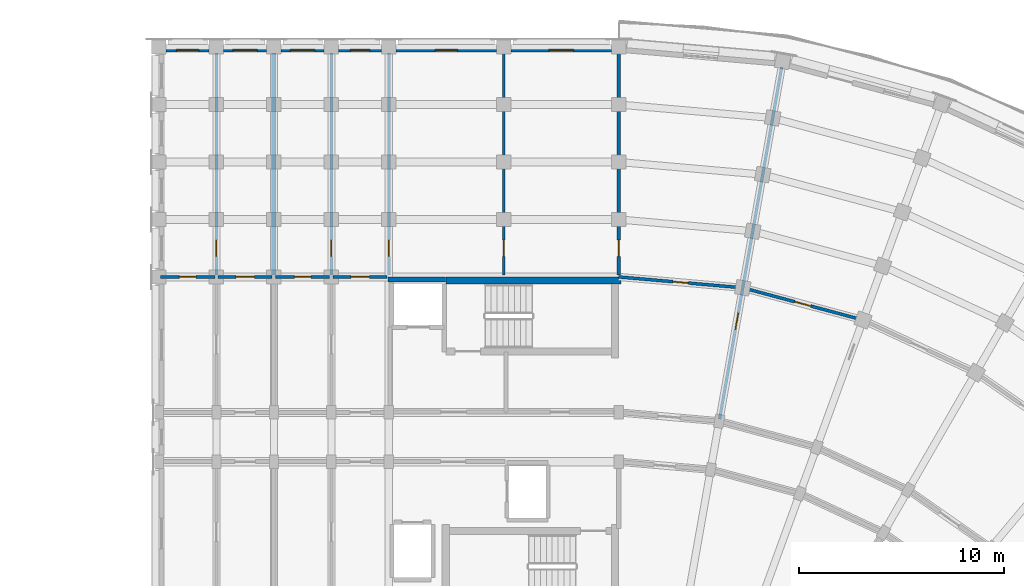
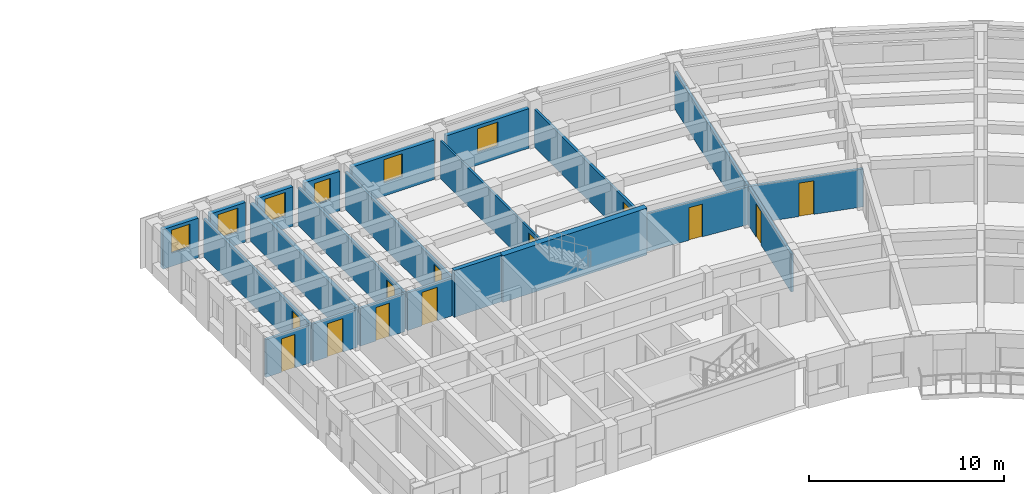
# One storey, part 32 of 54: 21 walls, 12 doors, 6 windows, 18 openings.
"""IFC4 building model written with IfcOpenShell, lengths in metres."""

from ifc_helpers import new_model, si_unit, direction, frame, frame_2d, origin, place, context, subcontext, project, spatial, rectangle, extrude, material, layer, layer_set, type_object, element, fill, save


model = new_model("IFC4")

# Units and contexts
model_context = context("Model", 3, precision=1e-05, world=origin(), true_north=direction((0.0, 1.0)))
body_context = subcontext(model_context, "Body", "Model", "MODEL_VIEW")
ifc_project = project(units=[si_unit("LENGTHUNIT", "METRE"), si_unit("AREAUNIT", "SQUARE_METRE"), si_unit("VOLUMEUNIT", "CUBIC_METRE"), si_unit("PLANEANGLEUNIT", "RADIAN"), si_unit("MASSUNIT", "GRAM", prefix="KILO")], contexts=[model_context])

# Site, building, storey
site_placement = place(None, origin())
site = spatial("IfcSite", under=ifc_project, at=site_placement, CompositionType="ELEMENT")
building_placement = place(site_placement, origin())
building = spatial("IfcBuilding", under=site, at=building_placement, Name="Kiranvali Square Residences", CompositionType="ELEMENT")
storey_placement = place(building_placement, frame((0.0, 0.0, 27.60009765625)))
storey = spatial("IfcBuildingStorey", under=building, at=storey_placement, Name="L08", CompositionType="ELEMENT", Elevation=27.60009765625)

# Wall
ifc_material_1 = material(Name="Autoclaved aerated concrete blockwork masonry", Category="masonry")
ifc_layer_1 = layer(ifc_material_1, 0.219970703125)
ifc_layer_set_1 = layer_set([ifc_layer_1], Name="Autoclaved aerated concrete blockwork masonry")
wall_type_1 = type_object("IfcWallType", Name="WL-DEM-220", PredefinedType="STANDARD", material=ifc_layer_set_1)
wall_1_placement = place(storey_placement, frame((103.0, 122.699951171875, 0.0), z_axis=(0.0, 0.0, 1.0), x_axis=(0.0, 1.0, 0.0)))
element("IfcWall", 1, at=wall_1_placement, inside=storey, type_object=wall_type_1, Name="L08 architectural wall WL-L08-B-A1TO2-2", PredefinedType="STANDARD", context=body_context, shape_type="SweptSolid", body=[
    extrude(rectangle(XDim=10.820068359375, YDim=0.219970703125, at=frame_2d((5.41015625, 0.0))), origin(), (0.0, 0.0, 1.0), 2.371826171875),
])

# Wall, opening, window
ifc_material_2 = material(Name="Breathable lime-rendered clay brick masonry", Category="masonry")
ifc_layer_2 = layer(ifc_material_2, 0.25)
ifc_layer_set_2 = layer_set([ifc_layer_2], Name="Breathable lime-rendered clay brick masonry")
wall_type_2 = type_object("IfcWallType", Name="WL-EXT-250", PredefinedType="STANDARD", material=ifc_layer_set_2)
wall_2_placement = place(storey_placement, frame((119.446533203125, 133.675048828125, 0.0), z_axis=(0.0, 0.0, 1.0), x_axis=(-1.0, 0.0, 0.0)))
wall_2 = element("IfcWall", 2, at=wall_2_placement, inside=storey, type_object=wall_type_2, Name="L08 exterior wall B-L08-A1O-0", PredefinedType="STANDARD", context=body_context, shape_type="SweptSolid", body=[
    extrude(rectangle(XDim=4.89306640625, YDim=0.25, at=frame_2d((2.446533203125, 0.0))), origin(), (0.0, 0.0, 1.0), 2.47998046875),
])
opening_1_placement = place(wall_2_placement, frame((1.846435546875, 0.0, 0.780029296875)))
opening_1 = element("IfcOpeningElement", 3, at=opening_1_placement, cuts=wall_2, Name="Opening W-06", PredefinedType="OPENING", context=body_context, shape_type="SweptSolid", body=[
    extrude(rectangle(XDim=1.199951171875, YDim=1.5, at=frame_2d((0.60009765625, 0.75))), frame((0.0, 0.135009765625, 0.0), z_axis=(0.0, -1.0, 0.0), x_axis=(1.0, 0.0, 0.0)), (0.0, 0.0, 1.0), 0.27001953125),
])
ifc_material_3 = material(Name="Solar-control low-e double glazing", Category="glass")
window_type_1 = type_object("IfcWindowType", Name="WIN-RES-1200x1500", PartitioningType="SINGLE_PANEL", PredefinedType="WINDOW", material=ifc_material_3)
window_1_placement = place(opening_1_placement, origin())
window_1 = element("IfcWindow", 4, at=window_1_placement, inside=storey, type_object=window_type_1, Name="L08 recessed window B-L08-A1O-0", OverallHeight=1.5, OverallWidth=1.199951171875, PartitioningType="SINGLE_PANEL", PredefinedType="WINDOW", context=body_context, shape_type="SweptSolid", body=[
    extrude(rectangle(XDim=1.199951171875, YDim=1.5, at=frame_2d((0.60009765625, 0.75))), frame((0.0, 0.030029296875, 0.0), z_axis=(0.0, -1.0, 0.0), x_axis=(1.0, 0.0, 0.0)), (0.0, 0.0, 1.0), 0.06005859375),
])
fill(opening_1, window_1)

wall_3_placement = place(storey_placement, frame((113.846435546875, 133.675048828125, 0.0), z_axis=(0.0, 0.0, 1.0), x_axis=(-1.0, 0.0, 0.0)))
wall_3 = element("IfcWall", 5, at=wall_3_placement, inside=storey, type_object=wall_type_2, Name="L08 exterior wall B-L08-A1O-1", PredefinedType="STANDARD", context=body_context, shape_type="SweptSolid", body=[
    extrude(rectangle(XDim=4.892822265625, YDim=0.25, at=frame_2d((2.4462890625, 0.0))), origin(), (0.0, 0.0, 1.0), 2.47998046875),
])
opening_2_placement = place(wall_3_placement, frame((1.896484375, 0.0, 0.830078125)))
opening_2 = element("IfcOpeningElement", 6, at=opening_2_placement, cuts=wall_3, Name="Opening W-15", PredefinedType="OPENING", context=body_context, shape_type="SweptSolid", body=[
    extrude(rectangle(XDim=1.10009765625, YDim=1.449951171875, at=frame_2d((0.550048828125, 0.72509765625))), frame((0.0, 0.135009765625, 0.0), z_axis=(0.0, -1.0, 0.0), x_axis=(1.0, 0.0, 0.0)), (0.0, 0.0, 1.0), 0.27001953125),
])
window_type_2 = type_object("IfcWindowType", Name="WIN-RES-1100x1450", PartitioningType="SINGLE_PANEL", PredefinedType="WINDOW", material=ifc_material_3)
window_2_placement = place(opening_2_placement, origin())
window_2 = element("IfcWindow", 7, at=window_2_placement, inside=storey, type_object=window_type_2, Name="L08 recessed window B-L08-A1O-1", OverallHeight=1.449951171875, OverallWidth=1.10009765625, PartitioningType="SINGLE_PANEL", PredefinedType="WINDOW", context=body_context, shape_type="SweptSolid", body=[
    extrude(rectangle(XDim=1.10009765625, YDim=1.449951171875, at=frame_2d((0.550048828125, 0.72509765625))), frame((0.0, 0.030029296875, 0.0), z_axis=(0.0, -1.0, 0.0), x_axis=(1.0, 0.0, 0.0)), (0.0, 0.0, 1.0), 0.06005859375),
])
fill(opening_2, window_2)

wall_4_placement = place(storey_placement, frame((108.24658203125, 133.675048828125, 0.0), z_axis=(0.0, 0.0, 1.0), x_axis=(-1.0, 0.0, 0.0)))
wall_4 = element("IfcWall", 8, at=wall_4_placement, inside=storey, type_object=wall_type_2, Name="L08 exterior wall B-L08-A1O-2", PredefinedType="STANDARD", context=body_context, shape_type="SweptSolid", body=[
    extrude(rectangle(XDim=2.093017578125, YDim=0.25, at=frame_2d((1.04638671875, 0.0))), origin(), (0.0, 0.0, 1.0), 2.47998046875),
])
opening_3_placement = place(wall_4_placement, frame((0.571533203125, 0.0, 0.8798828125)))
opening_3 = element("IfcOpeningElement", 9, at=opening_3_placement, cuts=wall_4, Name="Opening W-16", PredefinedType="OPENING", context=body_context, shape_type="SweptSolid", body=[
    extrude(rectangle(XDim=0.949951171875, YDim=1.35009765625, at=frame_2d((0.47509765625, 0.675048828125))), frame((0.0, 0.135009765625, 0.0), z_axis=(0.0, -1.0, 0.0), x_axis=(1.0, 0.0, 0.0)), (0.0, 0.0, 1.0), 0.27001953125),
])
window_type_3 = type_object("IfcWindowType", Name="WIN-RES-950x1350", PartitioningType="SINGLE_PANEL", PredefinedType="WINDOW", material=ifc_material_3)
window_3_placement = place(opening_3_placement, origin())
window_3 = element("IfcWindow", 10, at=window_3_placement, inside=storey, type_object=window_type_3, Name="L08 recessed window B-L08-A1O-2", OverallHeight=1.35009765625, OverallWidth=0.949951171875, PartitioningType="SINGLE_PANEL", PredefinedType="WINDOW", context=body_context, shape_type="SweptSolid", body=[
    extrude(rectangle(XDim=0.949951171875, YDim=1.35009765625, at=frame_2d((0.47509765625, 0.675048828125))), frame((0.0, 0.030029296875, 0.0), z_axis=(0.0, -1.0, 0.0), x_axis=(1.0, 0.0, 0.0)), (0.0, 0.0, 1.0), 0.06005859375),
])
fill(opening_3, window_3)

wall_5_placement = place(storey_placement, frame((105.446533203125, 133.675048828125, 0.0), z_axis=(0.0, 0.0, 1.0), x_axis=(-1.0, 0.0, 0.0)))
wall_5 = element("IfcWall", 11, at=wall_5_placement, inside=storey, type_object=wall_type_2, Name="L08 exterior wall B-L08-A1O-3", PredefinedType="STANDARD", context=body_context, shape_type="SweptSolid", body=[
    extrude(rectangle(XDim=2.093017578125, YDim=0.25, at=frame_2d((1.04638671875, 0.0))), origin(), (0.0, 0.0, 1.0), 2.47998046875),
])
opening_4_placement = place(wall_5_placement, frame((0.446533203125, 0.0, 0.780029296875)))
opening_4 = element("IfcOpeningElement", 12, at=opening_4_placement, cuts=wall_5, Name="Opening W-06", PredefinedType="OPENING", context=body_context, shape_type="SweptSolid", body=[
    extrude(rectangle(XDim=1.199951171875, YDim=1.5, at=frame_2d((0.60009765625, 0.75))), frame((0.0, 0.135009765625, 0.0), z_axis=(0.0, -1.0, 0.0), x_axis=(1.0, 0.0, 0.0)), (0.0, 0.0, 1.0), 0.27001953125),
])
window_4_placement = place(opening_4_placement, origin())
window_4 = element("IfcWindow", 13, at=window_4_placement, inside=storey, type_object=window_type_1, Name="L08 recessed window B-L08-A1O-3", OverallHeight=1.5, OverallWidth=1.199951171875, PartitioningType="SINGLE_PANEL", PredefinedType="WINDOW", context=body_context, shape_type="SweptSolid", body=[
    extrude(rectangle(XDim=1.199951171875, YDim=1.5, at=frame_2d((0.60009765625, 0.75))), frame((0.0, 0.030029296875, 0.0), z_axis=(0.0, -1.0, 0.0), x_axis=(1.0, 0.0, 0.0)), (0.0, 0.0, 1.0), 0.06005859375),
])
fill(opening_4, window_4)

wall_6_placement = place(storey_placement, frame((102.646484375, 133.675048828125, 0.0), z_axis=(0.0, 0.0, 1.0), x_axis=(-1.0, 0.0, 0.0)))
wall_6 = element("IfcWall", 14, at=wall_6_placement, inside=storey, type_object=wall_type_2, Name="L08 exterior wall B-L08-A1O-4", PredefinedType="STANDARD", context=body_context, shape_type="SweptSolid", body=[
    extrude(rectangle(XDim=2.093017578125, YDim=0.25, at=frame_2d((1.04638671875, 0.0))), origin(), (0.0, 0.0, 1.0), 2.47998046875),
])
opening_5_placement = place(wall_6_placement, frame((0.446533203125, 0.0, 0.780029296875)))
opening_5 = element("IfcOpeningElement", 15, at=opening_5_placement, cuts=wall_6, Name="Opening W-06", PredefinedType="OPENING", context=body_context, shape_type="SweptSolid", body=[
    extrude(rectangle(XDim=1.199951171875, YDim=1.5, at=frame_2d((0.60009765625, 0.75))), frame((0.0, 0.135009765625, 0.0), z_axis=(0.0, -1.0, 0.0), x_axis=(1.0, 0.0, 0.0)), (0.0, 0.0, 1.0), 0.27001953125),
])
window_5_placement = place(opening_5_placement, origin())
window_5 = element("IfcWindow", 16, at=window_5_placement, inside=storey, type_object=window_type_1, Name="L08 recessed window B-L08-A1O-4", OverallHeight=1.5, OverallWidth=1.199951171875, PartitioningType="SINGLE_PANEL", PredefinedType="WINDOW", context=body_context, shape_type="SweptSolid", body=[
    extrude(rectangle(XDim=1.199951171875, YDim=1.5, at=frame_2d((0.60009765625, 0.75))), frame((0.0, 0.030029296875, 0.0), z_axis=(0.0, -1.0, 0.0), x_axis=(1.0, 0.0, 0.0)), (0.0, 0.0, 1.0), 0.06005859375),
])
fill(opening_5, window_5)

wall_7_placement = place(storey_placement, frame((99.846435546875, 133.675048828125, 0.0), z_axis=(0.0, 0.0, 1.0), x_axis=(-1.0, 0.0, 0.0)))
wall_7 = element("IfcWall", 17, at=wall_7_placement, inside=storey, type_object=wall_type_2, Name="L08 exterior wall B-L08-A1O-5", PredefinedType="STANDARD", context=body_context, shape_type="SweptSolid", body=[
    extrude(rectangle(XDim=2.093017578125, YDim=0.25, at=frame_2d((1.04638671875, 0.0))), origin(), (0.0, 0.0, 1.0), 2.47998046875),
])
opening_6_placement = place(wall_7_placement, frame((0.49658203125, 0.0, 0.830078125)))
opening_6 = element("IfcOpeningElement", 18, at=opening_6_placement, cuts=wall_7, Name="Opening W-15", PredefinedType="OPENING", context=body_context, shape_type="SweptSolid", body=[
    extrude(rectangle(XDim=1.10009765625, YDim=1.449951171875, at=frame_2d((0.550048828125, 0.72509765625))), frame((0.0, 0.135009765625, 0.0), z_axis=(0.0, -1.0, 0.0), x_axis=(1.0, 0.0, 0.0)), (0.0, 0.0, 1.0), 0.27001953125),
])
window_6_placement = place(opening_6_placement, origin())
window_6 = element("IfcWindow", 19, at=window_6_placement, inside=storey, type_object=window_type_2, Name="L08 recessed window B-L08-A1O-5", OverallHeight=1.449951171875, OverallWidth=1.10009765625, PartitioningType="SINGLE_PANEL", PredefinedType="WINDOW", context=body_context, shape_type="SweptSolid", body=[
    extrude(rectangle(XDim=1.10009765625, YDim=1.449951171875, at=frame_2d((0.550048828125, 0.72509765625))), frame((0.0, 0.030029296875, 0.0), z_axis=(0.0, -1.0, 0.0), x_axis=(1.0, 0.0, 0.0)), (0.0, 0.0, 1.0), 0.06005859375),
])
fill(opening_6, window_6)

# Wall, opening, door
ifc_material_4 = material(Name="Acoustic gypsum board drylined partition", Category="gypsum")
ifc_layer_3 = layer(ifc_material_4, 0.125)
ifc_layer_set_3 = layer_set([ifc_layer_3], Name="Acoustic gypsum board drylined partition")
wall_type_3 = type_object("IfcWallType", Name="WL-PRT-125", PredefinedType="PARTITIONING", material=ifc_layer_set_3)
wall_8_placement = place(storey_placement, frame((114.199951171875, 122.699951171875, 0.0), z_axis=(0.0, 0.0, 1.0), x_axis=(0.0, 1.0, 0.0)))
wall_8 = element("IfcWall", 20, at=wall_8_placement, inside=storey, type_object=wall_type_3, Name="L08 architectural wall WL-L08-B-CF-MID", PredefinedType="PARTITIONING", context=body_context, shape_type="SweptSolid", body=[
    extrude(rectangle(XDim=10.820068359375, YDim=0.125, at=frame_2d((5.41015625, 0.0))), origin(), (0.0, 0.0, 1.0), 2.371826171875),
])
opening_7_placement = place(wall_8_placement, frame((0.8994140625, 0.0, 0.0)))
opening_7 = element("IfcOpeningElement", 21, at=opening_7_placement, cuts=wall_8, Name="Opening ID-WET", PredefinedType="OPENING", context=body_context, shape_type="SweptSolid", body=[
    extrude(rectangle(XDim=0.800048828125, YDim=2.10009765625, at=frame_2d((0.39990234375, 1.050048828125))), frame((0.0, 0.072509765625, 0.0), z_axis=(0.0, -1.0, 0.0), x_axis=(1.0, 0.0, 0.0)), (0.0, 0.0, 1.0), 0.14501953125),
])
ifc_material_5 = material(Name="Solid seasoned teak hardwood joinery", Category="wood")
door_type_1 = type_object("IfcDoorType", Name="DR-WET-800", OperationType="NOTDEFINED", PredefinedType="DOOR", material=ifc_material_5)
door_1_placement = place(opening_7_placement, frame((0.800048828125, 0.0, 0.0), z_axis=(0.0, 0.0, 1.0), x_axis=(-1.0, 0.0, 0.0)))
door_1 = element("IfcDoor", 22, at=door_1_placement, inside=storey, type_object=door_type_1, Name="L08 door DR-L08-1462 (DR-WET-800)", OperationType="SINGLE_SWING_RIGHT", OverallHeight=2.10009765625, OverallWidth=0.800048828125, PredefinedType="DOOR", context=body_context, shape_type="SweptSolid", body=[
    extrude(rectangle(XDim=0.800048828125, YDim=2.10009765625, at=frame_2d((0.39990234375, 1.050048828125))), frame((0.0, 0.02490234375, 0.0), z_axis=(0.0, -1.0, 0.0), x_axis=(1.0, 0.0, 0.0)), (0.0, 0.0, 1.0), 0.050048828125),
])
fill(opening_7, door_1)

ifc_layer_4 = layer(ifc_material_4, 0.14990234375)
ifc_layer_set_4 = layer_set([ifc_layer_4], Name="Acoustic gypsum board drylined partition")
wall_type_4 = type_object("IfcWallType", Name="WL-PRT-150", PredefinedType="PARTITIONING", material=ifc_layer_set_4)
wall_9_placement = place(storey_placement, frame((108.60009765625, 122.699951171875, 0.0), z_axis=(0.0, 0.0, 1.0), x_axis=(0.0, 1.0, 0.0)))
wall_9 = element("IfcWall", 23, at=wall_9_placement, inside=storey, type_object=wall_type_4, Name="L08 architectural wall WL-L08-B-A1TO2-0", PredefinedType="PARTITIONING", context=body_context, shape_type="SweptSolid", body=[
    extrude(rectangle(XDim=10.820068359375, YDim=0.14990234375, at=frame_2d((5.41015625, 0.0))), origin(), (0.0, 0.0, 1.0), 2.371826171875),
])
opening_8_placement = place(wall_9_placement, frame((0.8994140625, 0.0, 0.0)))
opening_8 = element("IfcOpeningElement", 24, at=opening_8_placement, cuts=wall_9, Name="Opening ID-WET", PredefinedType="OPENING", context=body_context, shape_type="SweptSolid", body=[
    extrude(rectangle(XDim=0.800048828125, YDim=2.10009765625, at=frame_2d((0.39990234375, 1.050048828125))), frame((0.0, 0.0849609375, 0.0), z_axis=(0.0, -1.0, 0.0), x_axis=(1.0, 0.0, 0.0)), (0.0, 0.0, 1.0), 0.169921875),
])
door_2_placement = place(opening_8_placement, origin())
door_2 = element("IfcDoor", 25, at=door_2_placement, inside=storey, type_object=door_type_1, Name="L08 door DR-L08-1471 (DR-WET-800)", OperationType="SINGLE_SWING_LEFT", OverallHeight=2.10009765625, OverallWidth=0.800048828125, PredefinedType="DOOR", context=body_context, shape_type="SweptSolid", body=[
    extrude(rectangle(XDim=0.800048828125, YDim=2.10009765625, at=frame_2d((0.39990234375, 1.050048828125))), frame((0.0, 0.02490234375, 0.0), z_axis=(0.0, -1.0, 0.0), x_axis=(1.0, 0.0, 0.0)), (0.0, 0.0, 1.0), 0.050048828125),
])
fill(opening_8, door_2)

wall_10_placement = place(storey_placement, frame((105.800048828125, 122.699951171875, 0.0), z_axis=(0.0, 0.0, 1.0), x_axis=(0.0, 1.0, 0.0)))
wall_10 = element("IfcWall", 26, at=wall_10_placement, inside=storey, type_object=wall_type_4, Name="L08 architectural wall WL-L08-B-A1TO2-1", PredefinedType="PARTITIONING", context=body_context, shape_type="SweptSolid", body=[
    extrude(rectangle(XDim=10.820068359375, YDim=0.14990234375, at=frame_2d((5.41015625, 0.0))), origin(), (0.0, 0.0, 1.0), 2.371826171875),
])
opening_9_placement = place(wall_10_placement, frame((0.8994140625, 0.0, 0.0)))
opening_9 = element("IfcOpeningElement", 27, at=opening_9_placement, cuts=wall_10, Name="Opening ID-WET", PredefinedType="OPENING", context=body_context, shape_type="SweptSolid", body=[
    extrude(rectangle(XDim=0.800048828125, YDim=2.10009765625, at=frame_2d((0.39990234375, 1.050048828125))), frame((0.0, 0.0849609375, 0.0), z_axis=(0.0, -1.0, 0.0), x_axis=(1.0, 0.0, 0.0)), (0.0, 0.0, 1.0), 0.169921875),
])
door_3_placement = place(opening_9_placement, frame((0.800048828125, 0.0, 0.0), z_axis=(0.0, 0.0, 1.0), x_axis=(-1.0, 0.0, 0.0)))
door_3 = element("IfcDoor", 28, at=door_3_placement, inside=storey, type_object=door_type_1, Name="L08 door DR-L08-1474 (DR-WET-800)", OperationType="SINGLE_SWING_RIGHT", OverallHeight=2.10009765625, OverallWidth=0.800048828125, PredefinedType="DOOR", context=body_context, shape_type="SweptSolid", body=[
    extrude(rectangle(XDim=0.800048828125, YDim=2.10009765625, at=frame_2d((0.39990234375, 1.050048828125))), frame((0.0, 0.02490234375, 0.0), z_axis=(0.0, -1.0, 0.0), x_axis=(1.0, 0.0, 0.0)), (0.0, 0.0, 1.0), 0.050048828125),
])
fill(opening_9, door_3)

wall_11_placement = place(storey_placement, frame((100.199951171875, 122.699951171875, 0.0), z_axis=(0.0, 0.0, 1.0), x_axis=(0.0, 1.0, 0.0)))
wall_11 = element("IfcWall", 29, at=wall_11_placement, inside=storey, type_object=wall_type_4, Name="L08 architectural wall WL-L08-B-A1TO2-3", PredefinedType="PARTITIONING", context=body_context, shape_type="SweptSolid", body=[
    extrude(rectangle(XDim=10.820068359375, YDim=0.14990234375, at=frame_2d((5.41015625, 0.0))), origin(), (0.0, 0.0, 1.0), 2.371826171875),
])
opening_10_placement = place(wall_11_placement, frame((0.8994140625, 0.0, 0.0)))
opening_10 = element("IfcOpeningElement", 30, at=opening_10_placement, cuts=wall_11, Name="Opening ID-WET", PredefinedType="OPENING", context=body_context, shape_type="SweptSolid", body=[
    extrude(rectangle(XDim=0.800048828125, YDim=2.10009765625, at=frame_2d((0.39990234375, 1.050048828125))), frame((0.0, 0.0849609375, 0.0), z_axis=(0.0, -1.0, 0.0), x_axis=(1.0, 0.0, 0.0)), (0.0, 0.0, 1.0), 0.169921875),
])
door_4_placement = place(opening_10_placement, origin())
door_4 = element("IfcDoor", 31, at=door_4_placement, inside=storey, type_object=door_type_1, Name="L08 door DR-L08-1477 (DR-WET-800)", OperationType="SINGLE_SWING_LEFT", OverallHeight=2.10009765625, OverallWidth=0.800048828125, PredefinedType="DOOR", context=body_context, shape_type="SweptSolid", body=[
    extrude(rectangle(XDim=0.800048828125, YDim=2.10009765625, at=frame_2d((0.39990234375, 1.050048828125))), frame((0.0, 0.02490234375, 0.0), z_axis=(0.0, -1.0, 0.0), x_axis=(1.0, 0.0, 0.0)), (0.0, 0.0, 1.0), 0.050048828125),
])
fill(opening_10, door_4)

wall_12_placement = place(storey_placement, frame((119.800048828125, 122.699951171875, 0.0), z_axis=(0.0, 0.0, 1.0), x_axis=(0.0, 1.0, 0.0)))
wall_12 = element("IfcWall", 32, at=wall_12_placement, inside=storey, type_object=wall_type_4, Name="L08 architectural wall WL-L08-B-RADO-0", PredefinedType="PARTITIONING", context=body_context, shape_type="SweptSolid", body=[
    extrude(rectangle(XDim=10.820068359375, YDim=0.14990234375, at=frame_2d((5.41015625, 0.0))), origin(), (0.0, 0.0, 1.0), 2.371826171875),
])
opening_11_placement = place(wall_12_placement, frame((0.8994140625, 0.0, 0.0)))
opening_11 = element("IfcOpeningElement", 33, at=opening_11_placement, cuts=wall_12, Name="Opening ID-WET", PredefinedType="OPENING", context=body_context, shape_type="SweptSolid", body=[
    extrude(rectangle(XDim=0.800048828125, YDim=2.10009765625, at=frame_2d((0.39990234375, 1.050048828125))), frame((0.0, 0.0849609375, 0.0), z_axis=(0.0, -1.0, 0.0), x_axis=(1.0, 0.0, 0.0)), (0.0, 0.0, 1.0), 0.169921875),
])
door_5_placement = place(opening_11_placement, frame((0.800048828125, 0.0, 0.0), z_axis=(0.0, 0.0, 1.0), x_axis=(-1.0, 0.0, 0.0)))
door_5 = element("IfcDoor", 34, at=door_5_placement, inside=storey, type_object=door_type_1, Name="L08 door DR-L08-1478 (DR-WET-800)", OperationType="SINGLE_SWING_RIGHT", OverallHeight=2.10009765625, OverallWidth=0.800048828125, PredefinedType="DOOR", context=body_context, shape_type="SweptSolid", body=[
    extrude(rectangle(XDim=0.800048828125, YDim=2.10009765625, at=frame_2d((0.39990234375, 1.050048828125))), frame((0.0, 0.02490234375, 0.0), z_axis=(0.0, -1.0, 0.0), x_axis=(1.0, 0.0, 0.0)), (0.0, 0.0, 1.0), 0.050048828125),
])
fill(opening_11, door_5)

wall_13_placement = place(storey_placement, frame((124.71435546875, 115.670166015625, 0.0), z_axis=(0.0, 0.0, 1.0), x_axis=(0.173646216546, 0.984808098809, 0.0)))
wall_13 = element("IfcWall", 35, at=wall_13_placement, inside=storey, type_object=wall_type_4, Name="L08 architectural wall WL-L08-B-RADO-1", PredefinedType="PARTITIONING", context=body_context, shape_type="SweptSolid", body=[
    extrude(rectangle(XDim=17.419921875, YDim=0.14990234375, at=frame_2d((8.7099609375, 0.0))), origin(), (0.0, 0.0, 1.0), 2.371826171875),
])
opening_12_placement = place(wall_13_placement, frame((4.44970703125, 0.0, 0.0)))
opening_12 = element("IfcOpeningElement", 36, at=opening_12_placement, cuts=wall_13, Name="Opening ID-WET", PredefinedType="OPENING", context=body_context, shape_type="SweptSolid", body=[
    extrude(rectangle(XDim=0.800048828125, YDim=2.10009765625, at=frame_2d((0.39990234375, 1.050048828125))), frame((0.0, 0.0849609375, 0.0), z_axis=(0.0, -1.0, 0.0), x_axis=(1.0, 0.0, 0.0)), (0.0, 0.0, 1.0), 0.169921875),
])
door_6_placement = place(opening_12_placement, origin())
door_6 = element("IfcDoor", 37, at=door_6_placement, inside=storey, type_object=door_type_1, Name="L08 door DR-L08-1479 (DR-WET-800)", OperationType="SINGLE_SWING_LEFT", OverallHeight=2.10009765625, OverallWidth=0.800048828125, PredefinedType="DOOR", context=body_context, shape_type="SweptSolid", body=[
    extrude(rectangle(XDim=0.800048828125, YDim=2.10009765625, at=frame_2d((0.39990234375, 1.050048828125))), frame((0.0, 0.02490234375, 0.0), z_axis=(0.0, -1.0, 0.0), x_axis=(1.0, 0.0, 0.0)), (0.0, 0.0, 1.0), 0.050048828125),
])
fill(opening_12, door_6)

# Walls
ifc_material_6 = material(Name="Concrete M45 (45 MPa)", Category="concrete")
ifc_layer_5 = layer(ifc_material_6, 0.25)
ifc_layer_set_5 = layer_set([ifc_layer_5], Name="Concrete M45 (45 MPa)")
wall_type_5 = type_object("IfcWallType", Name="WL-SHR-250", PredefinedType="SHEAR", material=ifc_layer_set_5)
wall_14_placement = place(storey_placement, frame((111.35009765625, 122.47509765625, 0.0), z_axis=(0.0, 0.0, 1.0), x_axis=(-1.0, 0.0, 0.0)))
element("IfcWall", 38, at=wall_14_placement, inside=storey, type_object=wall_type_5, Name="Block B core shear wall SW-BFF-BK-L08", PredefinedType="SHEAR", context=body_context, shape_type="SweptSolid", body=[
    extrude(rectangle(XDim=2.800048828125, YDim=0.25, at=frame_2d((1.39990234375, 0.0))), origin(), (0.0, 0.0, 1.0), 2.929931640625),
])
ifc_layer_6 = layer(ifc_material_6, 0.320068359375)
ifc_layer_set_6 = layer_set([ifc_layer_6], Name="Concrete M45 (45 MPa)")
wall_type_6 = type_object("IfcWallType", Name="WL-SHR-320", PredefinedType="SHEAR", material=ifc_layer_set_6)
wall_15_placement = place(storey_placement, frame((119.919921875, 122.425048828125, 0.0), z_axis=(0.0, 0.0, 1.0), x_axis=(-1.0, 0.0, 0.0)))
element("IfcWall", 39, at=wall_15_placement, inside=storey, type_object=wall_type_6, Name="Block B core shear wall SW-B1-OUT-L08", PredefinedType="SHEAR", context=body_context, shape_type="SweptSolid", body=[
    extrude(rectangle(XDim=8.544921875, YDim=0.35009765625, at=frame_2d((4.2724609375, 0.0))), origin(), (0.0, 0.0, 1.0), 2.929931640625),
])

# Wall, opening, door
ifc_layer_7 = layer(ifc_material_1, 0.14990234375)
ifc_layer_set_7 = layer_set([ifc_layer_7], Name="Autoclaved aerated concrete blockwork masonry")
wall_type_7 = type_object("IfcWallType", Name="WL-WET-150", PredefinedType="PLUMBINGWALL", material=ifc_layer_set_7)
wall_16_placement = place(storey_placement, frame((108.52001953125, 122.60009765625, 0.0), z_axis=(0.0, 0.0, 1.0), x_axis=(-1.0, 0.0, 0.0)))
wall_16 = element("IfcWall", 40, at=wall_16_placement, inside=storey, type_object=wall_type_7, Name="L08 architectural wall WL-L08-B-A1SP-0", PredefinedType="PLUMBINGWALL", context=body_context, shape_type="SweptSolid", body=[
    extrude(rectangle(XDim=2.64013671875, YDim=0.14990234375, at=frame_2d((1.320068359375, 0.0))), origin(), (0.0, 0.0, 1.0), 2.371826171875),
])
opening_13_placement = place(wall_16_placement, frame((0.8701171875, 0.0, 0.0)))
opening_13 = element("IfcOpeningElement", 41, at=opening_13_placement, cuts=wall_16, Name="Opening ID-1", PredefinedType="OPENING", context=body_context, shape_type="SweptSolid", body=[
    extrude(rectangle(XDim=0.89990234375, YDim=2.10009765625, at=frame_2d((0.449951171875, 1.050048828125))), frame((0.0, 0.0849609375, 0.0), z_axis=(0.0, -1.0, 0.0), x_axis=(1.0, 0.0, 0.0)), (0.0, 0.0, 1.0), 0.169921875),
])
door_type_2 = type_object("IfcDoorType", Name="DR-INT-900", OperationType="NOTDEFINED", PredefinedType="DOOR", material=ifc_material_5)
door_7_placement = place(opening_13_placement, frame((0.89990234375, 0.0, 0.0), z_axis=(0.0, 0.0, 1.0), x_axis=(-1.0, 0.0, 0.0)))
door_7 = element("IfcDoor", 42, at=door_7_placement, inside=storey, type_object=door_type_2, Name="L08 door DR-L08-1464 (DR-INT-900)", OperationType="SINGLE_SWING_RIGHT", OverallHeight=2.10009765625, OverallWidth=0.89990234375, PredefinedType="DOOR", context=body_context, shape_type="SweptSolid", body=[
    extrude(rectangle(XDim=0.89990234375, YDim=2.10009765625, at=frame_2d((0.449951171875, 1.050048828125))), frame((0.0, 0.02490234375, 0.0), z_axis=(0.0, -1.0, 0.0), x_axis=(1.0, 0.0, 0.0)), (0.0, 0.0, 1.0), 0.050048828125),
])
fill(opening_13, door_7)

wall_17_placement = place(storey_placement, frame((105.719970703125, 122.60009765625, 0.0), z_axis=(0.0, 0.0, 1.0), x_axis=(-1.0, 0.0, 0.0)))
wall_17 = element("IfcWall", 43, at=wall_17_placement, inside=storey, type_object=wall_type_7, Name="L08 architectural wall WL-L08-B-A1SP-1", PredefinedType="PLUMBINGWALL", context=body_context, shape_type="SweptSolid", body=[
    extrude(rectangle(XDim=2.639892578125, YDim=0.14990234375, at=frame_2d((1.31982421875, 0.0))), origin(), (0.0, 0.0, 1.0), 2.371826171875),
])
opening_14_placement = place(wall_17_placement, frame((0.919921875, 0.0, 0.0)))
opening_14 = element("IfcOpeningElement", 44, at=opening_14_placement, cuts=wall_17, Name="Opening ID-WET", PredefinedType="OPENING", context=body_context, shape_type="SweptSolid", body=[
    extrude(rectangle(XDim=0.800048828125, YDim=2.10009765625, at=frame_2d((0.39990234375, 1.050048828125))), frame((0.0, 0.0849609375, 0.0), z_axis=(0.0, -1.0, 0.0), x_axis=(1.0, 0.0, 0.0)), (0.0, 0.0, 1.0), 0.169921875),
])
door_8_placement = place(opening_14_placement, frame((0.800048828125, 0.0, 0.0), z_axis=(0.0, 0.0, 1.0), x_axis=(-1.0, 0.0, 0.0)))
door_8 = element("IfcDoor", 45, at=door_8_placement, inside=storey, type_object=door_type_1, Name="L08 door DR-L08-1466 (DR-WET-800)", OperationType="SINGLE_SWING_RIGHT", OverallHeight=2.10009765625, OverallWidth=0.800048828125, PredefinedType="DOOR", context=body_context, shape_type="SweptSolid", body=[
    extrude(rectangle(XDim=0.800048828125, YDim=2.10009765625, at=frame_2d((0.39990234375, 1.050048828125))), frame((0.0, 0.02490234375, 0.0), z_axis=(0.0, -1.0, 0.0), x_axis=(1.0, 0.0, 0.0)), (0.0, 0.0, 1.0), 0.050048828125),
])
fill(opening_14, door_8)

wall_18_placement = place(storey_placement, frame((102.919921875, 122.60009765625, 0.0), z_axis=(0.0, 0.0, 1.0), x_axis=(-1.0, 0.0, 0.0)))
wall_18 = element("IfcWall", 46, at=wall_18_placement, inside=storey, type_object=wall_type_7, Name="L08 architectural wall WL-L08-B-A1SP-2", PredefinedType="PLUMBINGWALL", context=body_context, shape_type="SweptSolid", body=[
    extrude(rectangle(XDim=2.639892578125, YDim=0.14990234375, at=frame_2d((1.31982421875, 0.0))), origin(), (0.0, 0.0, 1.0), 2.371826171875),
])
opening_15_placement = place(wall_18_placement, frame((0.8701171875, 0.0, 0.0)))
opening_15 = element("IfcOpeningElement", 47, at=opening_15_placement, cuts=wall_18, Name="Opening ID-1", PredefinedType="OPENING", context=body_context, shape_type="SweptSolid", body=[
    extrude(rectangle(XDim=0.89990234375, YDim=2.10009765625, at=frame_2d((0.449951171875, 1.050048828125))), frame((0.0, 0.0849609375, 0.0), z_axis=(0.0, -1.0, 0.0), x_axis=(1.0, 0.0, 0.0)), (0.0, 0.0, 1.0), 0.169921875),
])
door_9_placement = place(opening_15_placement, frame((0.89990234375, 0.0, 0.0), z_axis=(0.0, 0.0, 1.0), x_axis=(-1.0, 0.0, 0.0)))
door_9 = element("IfcDoor", 48, at=door_9_placement, inside=storey, type_object=door_type_2, Name="L08 door DR-L08-1468 (DR-INT-900)", OperationType="SINGLE_SWING_RIGHT", OverallHeight=2.10009765625, OverallWidth=0.89990234375, PredefinedType="DOOR", context=body_context, shape_type="SweptSolid", body=[
    extrude(rectangle(XDim=0.89990234375, YDim=2.10009765625, at=frame_2d((0.449951171875, 1.050048828125))), frame((0.0, 0.02490234375, 0.0), z_axis=(0.0, -1.0, 0.0), x_axis=(1.0, 0.0, 0.0)), (0.0, 0.0, 1.0), 0.050048828125),
])
fill(opening_15, door_9)

wall_19_placement = place(storey_placement, frame((100.1201171875, 122.60009765625, 0.0), z_axis=(0.0, 0.0, 1.0), x_axis=(-1.0, 0.0, 0.0)))
wall_19 = element("IfcWall", 49, at=wall_19_placement, inside=storey, type_object=wall_type_7, Name="L08 architectural wall WL-L08-B-A1SP-3", PredefinedType="PLUMBINGWALL", context=body_context, shape_type="SweptSolid", body=[
    extrude(rectangle(XDim=2.64013671875, YDim=0.14990234375, at=frame_2d((1.320068359375, 0.0))), origin(), (0.0, 0.0, 1.0), 2.371826171875),
])
opening_16_placement = place(wall_19_placement, frame((0.919921875, 0.0, 0.0)))
opening_16 = element("IfcOpeningElement", 50, at=opening_16_placement, cuts=wall_19, Name="Opening ID-WET", PredefinedType="OPENING", context=body_context, shape_type="SweptSolid", body=[
    extrude(rectangle(XDim=0.800048828125, YDim=2.10009765625, at=frame_2d((0.39990234375, 1.050048828125))), frame((0.0, 0.0849609375, 0.0), z_axis=(0.0, -1.0, 0.0), x_axis=(1.0, 0.0, 0.0)), (0.0, 0.0, 1.0), 0.169921875),
])
door_10_placement = place(opening_16_placement, frame((0.800048828125, 0.0, 0.0), z_axis=(0.0, 0.0, 1.0), x_axis=(-1.0, 0.0, 0.0)))
door_10 = element("IfcDoor", 51, at=door_10_placement, inside=storey, type_object=door_type_1, Name="L08 door DR-L08-1470 (DR-WET-800)", OperationType="SINGLE_SWING_RIGHT", OverallHeight=2.10009765625, OverallWidth=0.800048828125, PredefinedType="DOOR", context=body_context, shape_type="SweptSolid", body=[
    extrude(rectangle(XDim=0.800048828125, YDim=2.10009765625, at=frame_2d((0.39990234375, 1.050048828125))), frame((0.0, 0.02490234375, 0.0), z_axis=(0.0, -1.0, 0.0), x_axis=(1.0, 0.0, 0.0)), (0.0, 0.0, 1.0), 0.050048828125),
])
fill(opening_16, door_10)

wall_20_placement = place(storey_placement, frame((119.800048828125, 122.60009765625, 0.0), z_axis=(0.0, 0.0, 1.0), x_axis=(0.996193018494, -0.087174938512, 0.0)))
wall_20 = element("IfcWall", 52, at=wall_20_placement, inside=storey, type_object=wall_type_7, Name="L08 architectural wall WL-L08-B-CWET-0", PredefinedType="PLUMBINGWALL", context=body_context, shape_type="SweptSolid", body=[
    extrude(rectangle(XDim=6.066162109375, YDim=0.14990234375, at=frame_2d((3.033203125, 0.0))), origin(), (0.0, 0.0, 1.0), 2.371826171875),
])
opening_17_placement = place(wall_20_placement, frame((2.653076171875, 0.0, 0.0)))
opening_17 = element("IfcOpeningElement", 53, at=opening_17_placement, cuts=wall_20, Name="Opening ID-WET0", PredefinedType="OPENING", context=body_context, shape_type="SweptSolid", body=[
    extrude(rectangle(XDim=0.760009765625, YDim=2.050048828125, at=frame_2d((0.3798828125, 1.02490234375))), frame((0.0, 0.0849609375, 0.0), z_axis=(0.0, -1.0, 0.0), x_axis=(1.0, 0.0, 0.0)), (0.0, 0.0, 1.0), 0.169921875),
])
door_type_3 = type_object("IfcDoorType", Name="DR-WET-760", OperationType="NOTDEFINED", PredefinedType="DOOR", material=ifc_material_5)
door_11_placement = place(opening_17_placement, frame((0.760009765625, 0.0, 0.0), z_axis=(0.0, 0.0, 1.0), x_axis=(-1.0, 0.0, 0.0)))
door_11 = element("IfcDoor", 54, at=door_11_placement, inside=storey, type_object=door_type_3, Name="L08 door DR-L08-1484 (DR-WET-760)", OperationType="SINGLE_SWING_RIGHT", OverallHeight=2.050048828125, OverallWidth=0.760009765625, PredefinedType="DOOR", context=body_context, shape_type="SweptSolid", body=[
    extrude(rectangle(XDim=0.760009765625, YDim=2.050048828125, at=frame_2d((0.3798828125, 1.02490234375))), frame((0.0, 0.02490234375, 0.0), z_axis=(0.0, -1.0, 0.0), x_axis=(1.0, 0.0, 0.0)), (0.0, 0.0, 1.0), 0.050048828125),
])
fill(opening_17, door_11)

wall_21_placement = place(storey_placement, frame((125.843017578125, 122.0712890625, 0.0), z_axis=(0.0, 0.0, 1.0), x_axis=(0.965923618901, -0.258827283048, 0.0)))
wall_21 = element("IfcWall", 55, at=wall_21_placement, inside=storey, type_object=wall_type_7, Name="L08 architectural wall WL-L08-B-CWET-1", PredefinedType="PLUMBINGWALL", context=body_context, shape_type="SweptSolid", body=[
    extrude(rectangle(XDim=6.066162109375, YDim=0.14990234375, at=frame_2d((3.033203125, 0.0))), origin(), (0.0, 0.0, 1.0), 2.371826171875),
])
opening_18_placement = place(wall_21_placement, frame((2.633056640625, 0.0, 0.0)))
opening_18 = element("IfcOpeningElement", 56, at=opening_18_placement, cuts=wall_21, Name="Opening ID-WET", PredefinedType="OPENING", context=body_context, shape_type="SweptSolid", body=[
    extrude(rectangle(XDim=0.800048828125, YDim=2.10009765625, at=frame_2d((0.39990234375, 1.050048828125))), frame((0.0, 0.0849609375, 0.0), z_axis=(0.0, -1.0, 0.0), x_axis=(1.0, 0.0, 0.0)), (0.0, 0.0, 1.0), 0.169921875),
])
door_12_placement = place(opening_18_placement, origin())
door_12 = element("IfcDoor", 57, at=door_12_placement, inside=storey, type_object=door_type_1, Name="L08 door DR-L08-1485 (DR-WET-800)", OperationType="SINGLE_SWING_LEFT", OverallHeight=2.10009765625, OverallWidth=0.800048828125, PredefinedType="DOOR", context=body_context, shape_type="SweptSolid", body=[
    extrude(rectangle(XDim=0.800048828125, YDim=2.10009765625, at=frame_2d((0.39990234375, 1.050048828125))), frame((0.0, 0.02490234375, 0.0), z_axis=(0.0, -1.0, 0.0), x_axis=(1.0, 0.0, 0.0)), (0.0, 0.0, 1.0), 0.050048828125),
])
fill(opening_18, door_12)

save(model, "model.ifc")
